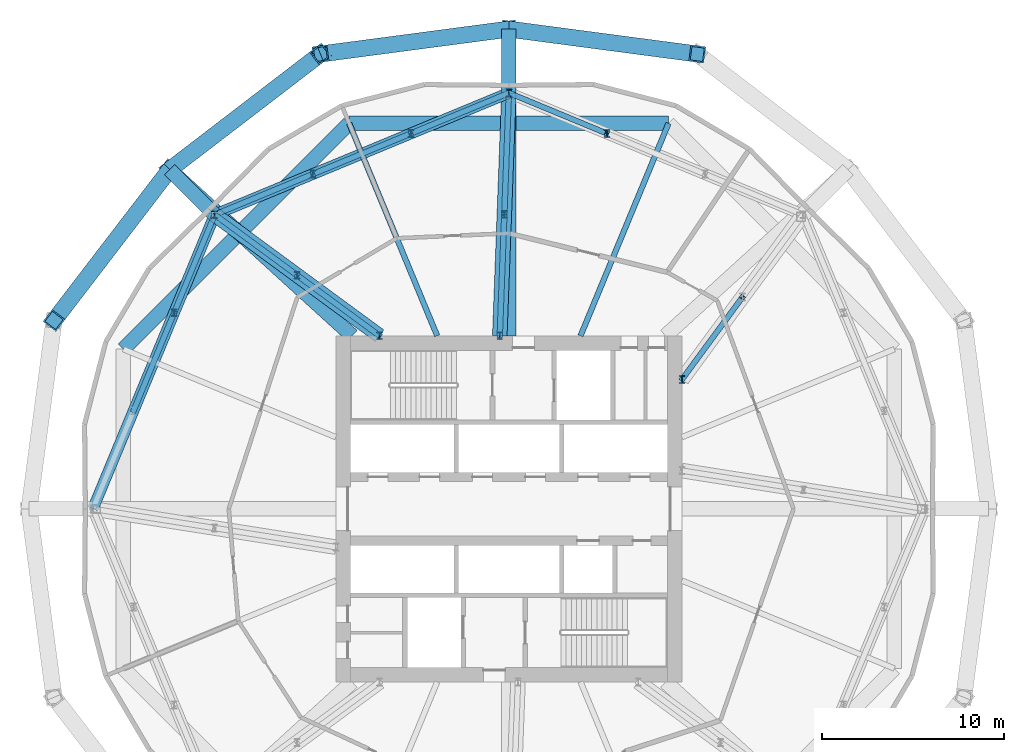
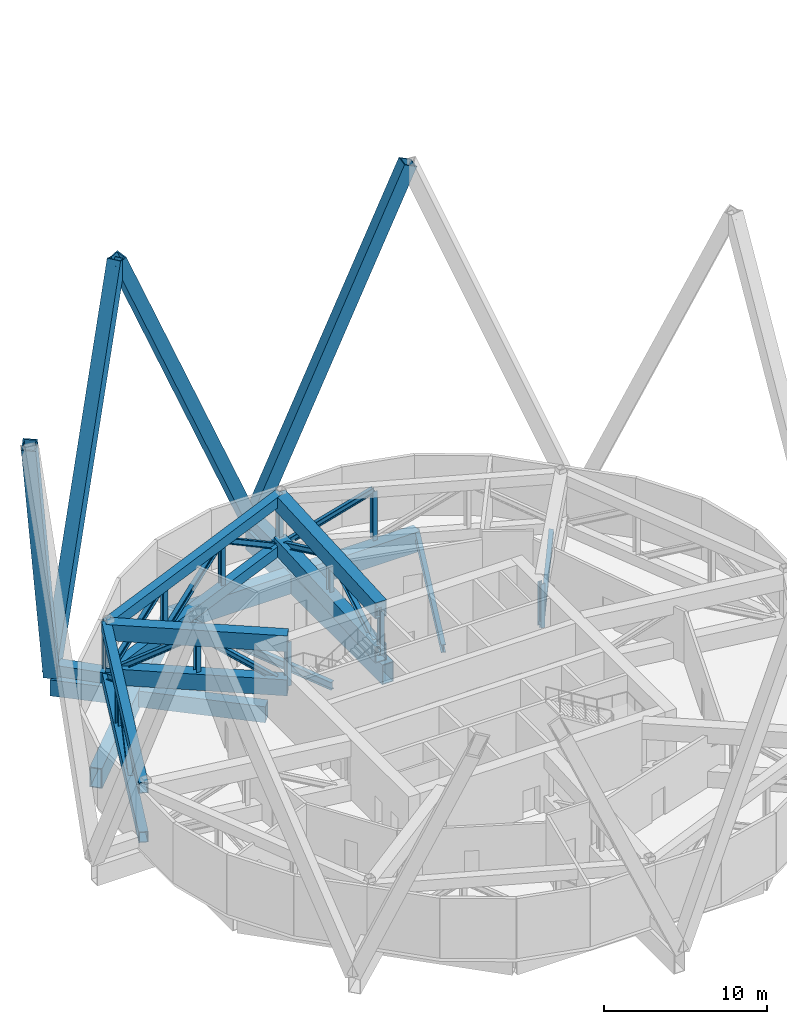
# One storey, part 6 of 21: 34 members, 8 beams.
"""IFC4 building model written with IfcOpenShell, lengths in metres."""

from ifc_helpers import new_model, si_unit, direction, frame, origin, origin_2d, place, context, subcontext, project, spatial, hollow_rectangle, i_section, extrude, material, material_profile, profile_set, type_object, element, save


model = new_model("IFC4")

# Units and contexts
model_context = context("Model", 3, precision=1e-05, world=origin(), true_north=direction((0.0, 1.0)))
body_context = subcontext(model_context, "Body", "Model", "MODEL_VIEW")
ifc_project = project(units=[si_unit("LENGTHUNIT", "METRE"), si_unit("AREAUNIT", "SQUARE_METRE"), si_unit("VOLUMEUNIT", "CUBIC_METRE"), si_unit("PLANEANGLEUNIT", "RADIAN"), si_unit("MASSUNIT", "GRAM", prefix="KILO")], contexts=[model_context])

# Site, building, storey
site_placement = place(None, origin())
site = spatial("IfcSite", under=ifc_project, at=site_placement, CompositionType="ELEMENT")
building_placement = place(site_placement, origin())
building = spatial("IfcBuilding", under=site, at=building_placement, Name="Ogive Gate Towers", CompositionType="ELEMENT")
storey_placement = place(building_placement, frame((0.0, 0.0, 71.39990234375)))
storey = spatial("IfcBuildingStorey", under=building, at=storey_placement, Name="L16", CompositionType="ELEMENT", Elevation=71.39990234375)

# Members
ifc_material_1 = material(Name="Steel SM460", Category="steel")
ifc_material_profile_1 = material_profile(ifc_material_1, hollow_rectangle(XDim=0.89990234375, YDim=0.89990234375, WallThickness=0.080078125, at=origin_2d()), Name="BX 900x900x80")
ifc_profile_set_1 = profile_set([ifc_material_profile_1], Name="Steel SM460")
member_type_1 = type_object("IfcMemberType", Name="Diagrid diagonal BX 900x900x80", PredefinedType="BRACE", material=ifc_profile_set_1)
for number, where, z_axis, x_axis, name in (
    (1, (-36.0, 26.330078125, 0.0), (0.391020203016, -0.05169225596, 0.918929328897), (0.131058173692, 0.991374679477, 0.0), "T1/L16/SDG005"),
    (2, (-36.0, 26.330078125, 0.0), (-0.391020203016, -0.05169225596, 0.918929328897), (0.131058173692, -0.991374679477, 0.0), "T1/L16/SDG006"),
    (3, (-54.6181640625, 18.6181640625, 0.0), (0.313043448302, 0.239941197331, 0.918929823925), (-0.608337680052, 0.793678314576, 0.0), "T1/L16/SDG007"),
    (4, (-54.6181640625, 18.6181640625, 0.0), (-0.239941197331, -0.313043448302, 0.918929823925), (0.793678314576, -0.608337680052, 0.0), "T1/L16/SDG008"),
):
    element("IfcMember", number, at=place(storey_placement, frame(where, z_axis=z_axis, x_axis=x_axis)), inside=storey, type_object=member_type_1, Name=name, PredefinedType="BRACE", context=body_context, shape_type="SweptSolid", body=[
        extrude(hollow_rectangle(XDim=0.89990234375, YDim=0.89990234375, WallThickness=0.080078125, at=origin_2d()), origin(), (0.0, 0.0, 1.0), 26.44384765625),
    ])

# Beams
ifc_material_profile_2 = material_profile(ifc_material_1, hollow_rectangle(XDim=0.800048828125, YDim=1.5, WallThickness=0.06005859375, at=origin_2d()), Name="BX 1500x800x60")
ifc_profile_set_2 = profile_set([ifc_material_profile_2], Name="Steel SM460")
beam_type_1 = type_object("IfcBeamType", Name="Edge girder BX 1500x800x60", PredefinedType="BEAM", material=ifc_profile_set_2)
for number, where, z_axis, x_axis, name in (
    (5, (-27.236572265625, 21.15673828125, -1.0498046875), (-1.0, 0.0, 0.0), (0.0, -1.0, 0.0), "T1/L16/SBM022"),
    (6, (-44.763427734375, 21.15673828125, -1.0498046875), (-0.707106781187, -0.707106781187, 0.0), (0.707106781187, -0.707106781187, 0.0), "T1/L16/SBM023"),
):
    element("IfcBeam", number, at=place(storey_placement, frame(where, z_axis=z_axis, x_axis=x_axis)), inside=storey, type_object=beam_type_1, Name=name, PredefinedType="BEAM", context=body_context, shape_type="SweptSolid", body=[
        extrude(hollow_rectangle(XDim=0.800048828125, YDim=1.5, WallThickness=0.06005859375, at=origin_2d()), origin(), (0.0, 0.0, 1.0), 17.52685546875),
    ])
ifc_material_profile_3 = material_profile(ifc_material_1, hollow_rectangle(XDim=0.800048828125, YDim=0.800048828125, WallThickness=0.050048828125, at=origin_2d()), Name="BX 800x800x50")
ifc_profile_set_3 = profile_set([ifc_material_profile_3], Name="Steel SM460")
beam_type_2 = type_object("IfcBeamType", Name="Node arm BX 800x800x50", PredefinedType="BEAM", material=ifc_profile_set_3)
for number, where, z_axis, x_axis, name in (
    (7, (-36.0, 22.830078125, 0.4501953125), (0.0, 1.0, 0.0), (-1.0, 0.0, 0.0), "T1/L16/SBM027"),
    (8, (-52.143310546875, 16.143310546875, 0.4501953125), (-0.707106781187, 0.707106781187, 0.0), (-0.707106781187, -0.707106781187, 0.0), "T1/L16/SBM028"),
):
    element("IfcBeam", number, at=place(storey_placement, frame(where, z_axis=z_axis, x_axis=x_axis)), inside=storey, type_object=beam_type_2, Name=name, PredefinedType="BEAM", context=body_context, shape_type="SweptSolid", body=[
        extrude(hollow_rectangle(XDim=0.800048828125, YDim=0.800048828125, WallThickness=0.050048828125, at=origin_2d()), origin(), (0.0, 0.0, 1.0), 3.5),
    ])
ifc_material_2 = material(Name="Steel SM355", Category="steel")
ifc_material_profile_4 = material_profile(ifc_material_2, i_section(OverallWidth=0.300048828125, OverallDepth=0.590087890625, WebThickness=0.012939453125, FlangeThickness=0.02490234375, FilletRadius=0.027099609375, at=origin_2d()), Name="HE 600 A")
ifc_profile_set_4 = profile_set([ifc_material_profile_4], Name="Steel SM355")
beam_type_3 = type_object("IfcBeamType", Name="Radial floor beam HE 600 A", PredefinedType="BEAM", material=ifc_profile_set_4)
for number, where, z_axis, x_axis, name in (
    (9, (-32.06494140625, 9.5, -0.594970703125), (0.382682759347, 0.923879811284, 0.0), (-0.923879811284, 0.382682759347, 0.0), "T1/L16/SBM011"),
    (10, (-39.93505859375, 9.5, -0.594970703125), (-0.382682759347, 0.923879811284, 0.0), (-0.923879811284, -0.382682759347, 0.0), "T1/L16/SBM013"),
):
    element("IfcBeam", number, at=place(storey_placement, frame(where, z_axis=z_axis, x_axis=x_axis)), inside=storey, type_object=beam_type_3, Name=name, PredefinedType="BEAM", context=body_context, shape_type="SweptSolid", body=[
        extrude(i_section(OverallWidth=0.300048828125, OverallDepth=0.590087890625, WebThickness=0.012939453125, FlangeThickness=0.02490234375, FilletRadius=0.027099609375, at=origin_2d()), origin(), (0.0, 0.0, 1.0), 12.6171875),
    ])
ifc_material_profile_5 = material_profile(ifc_material_1, hollow_rectangle(XDim=0.800048828125, YDim=1.199951171875, WallThickness=0.050048828125, at=origin_2d()), Name="BX 1200x800x50")
ifc_profile_set_5 = profile_set([ifc_material_profile_5], Name="Steel SM460")
beam_type_4 = type_object("IfcBeamType", Name="Transfer radial beam BX 1200x800x50", PredefinedType="BEAM", material=ifc_profile_set_5)
beam_1_placement = place(storey_placement, frame((-44.60009765625, 9.5, -0.89990234375), z_axis=(-0.739541977393, 0.673110439433, 0.0), x_axis=(-0.673110439433, -0.739541977393, 0.0)))
element("IfcBeam", 11, at=beam_1_placement, inside=storey, type_object=beam_type_4, Name="T1/L16/SBM014", PredefinedType="BEAM", context=body_context, shape_type="SweptSolid", body=[
    extrude(hollow_rectangle(XDim=0.800048828125, YDim=1.199951171875, WallThickness=0.050048828125, at=origin_2d()), origin(), (0.0, 0.0, 1.0), 13.54638671875),
])
ifc_material_profile_6 = material_profile(ifc_material_1, hollow_rectangle(XDim=0.800048828125, YDim=1.5, WallThickness=0.06005859375, at=origin_2d()), Name="BX 1500x800x60")
ifc_profile_set_6 = profile_set([ifc_material_profile_6], Name="Steel SM460")
beam_type_5 = type_object("IfcBeamType", Name="Transfer radial beam BX 1500x800x60", PredefinedType="BEAM", material=ifc_profile_set_6)
beam_2_placement = place(storey_placement, frame((-36.0, 9.5, -1.0498046875), z_axis=(0.0, 1.0, 0.0), x_axis=(-1.0, 0.0, 0.0)))
element("IfcBeam", 12, at=beam_2_placement, inside=storey, type_object=beam_type_5, Name="T1/L16/SBM012", PredefinedType="BEAM", context=body_context, shape_type="SweptSolid", body=[
    extrude(hollow_rectangle(XDim=0.800048828125, YDim=1.5, WallThickness=0.06005859375, at=origin_2d()), origin(), (0.0, 0.0, 1.0), 16.830078125),
])

# Members
ifc_material_profile_7 = material_profile(ifc_material_1, hollow_rectangle(XDim=0.800048828125, YDim=1.199951171875, WallThickness=0.050048828125, at=origin_2d()), Name="BX 1200x800x50")
ifc_profile_set_7 = profile_set([ifc_material_profile_7], Name="Steel SM460")
member_type_2 = type_object("IfcMemberType", Name="Truss chord BX 1200x800x50", PredefinedType="CHORD", material=ifc_profile_set_7)
for number, where, z_axis, x_axis, name in (
    (13, (-36.5, 9.5, 0.60009765625), (0.037482798811, 0.999297272984, 0.0), (-0.999297272984, 0.037482798811, 0.0), "T1/L16/STR038"),
    (14, (-36.5, 9.5, 3.900146484375), (0.037482798811, 0.999297272984, 0.0), (-0.999297272984, 0.037482798811, 0.0), "T1/L16/STR039"),
):
    element("IfcMember", number, at=place(storey_placement, frame(where, z_axis=z_axis, x_axis=x_axis)), inside=storey, type_object=member_type_2, Name=name, PredefinedType="CHORD", context=body_context, shape_type="SweptSolid", body=[
        extrude(hollow_rectangle(XDim=0.800048828125, YDim=1.199951171875, WallThickness=0.050048828125, at=origin_2d()), origin(), (0.0, 0.0, 1.0), 13.33935546875),
    ])
for number, where, z_axis, x_axis, name in (
    (15, (-43.10009765625, 9.5, 0.60009765625), (-0.805910837302, 0.592036926482, 0.0), (-0.592036926482, -0.805910837302, 0.0), "T1/L16/STR052"),
    (16, (-43.10009765625, 9.5, 3.900146484375), (-0.805910837302, 0.592036926482, 0.0), (-0.592036926482, -0.805910837302, 0.0), "T1/L16/STR053"),
):
    element("IfcMember", number, at=place(storey_placement, frame(where, z_axis=z_axis, x_axis=x_axis)), inside=storey, type_object=member_type_2, Name=name, PredefinedType="CHORD", context=body_context, shape_type="SweptSolid", body=[
        extrude(hollow_rectangle(XDim=0.800048828125, YDim=1.199951171875, WallThickness=0.050048828125, at=origin_2d()), origin(), (0.0, 0.0, 1.0), 11.22119140625),
    ])
ifc_material_profile_8 = material_profile(ifc_material_1, hollow_rectangle(XDim=0.60009765625, YDim=0.800048828125, WallThickness=0.0400390625, at=origin_2d()), Name="BX 800x600x40")
ifc_profile_set_8 = profile_set([ifc_material_profile_8], Name="Steel SM460")
member_type_3 = type_object("IfcMemberType", Name="Truss chord BX 800x600x40", PredefinedType="CHORD", material=ifc_profile_set_8)
for number, where, z_axis, x_axis, name in (
    (17, (-36.0, 22.830078125, 0.400146484375), (-0.923879746828, -0.382682914959, 0.0), (0.382682914959, -0.923879746828, 0.0), "T1/L16/STR030"),
    (18, (-36.0, 22.830078125, 4.10009765625), (-0.923879746828, -0.382682914959, 0.0), (0.382682914959, -0.923879746828, 0.0), "T1/L16/STR031"),
    (19, (-52.143310546875, 16.143310546875, 0.400146484375), (-0.382682914959, -0.923879746828, 0.0), (0.923879746828, -0.382682914959, 0.0), "T1/L16/STR044"),
    (20, (-52.143310546875, 16.143310546875, 4.10009765625), (-0.382682914959, -0.923879746828, 0.0), (0.923879746828, -0.382682914959, 0.0), "T1/L16/STR045"),
):
    element("IfcMember", number, at=place(storey_placement, frame(where, z_axis=z_axis, x_axis=x_axis)), inside=storey, type_object=member_type_3, Name=name, PredefinedType="CHORD", context=body_context, shape_type="SweptSolid", body=[
        extrude(hollow_rectangle(XDim=0.60009765625, YDim=0.800048828125, WallThickness=0.0400390625, at=origin_2d()), origin(), (0.0, 0.0, 1.0), 17.473388671875),
    ])
ifc_material_profile_9 = material_profile(ifc_material_1, i_section(OverallWidth=0.300048828125, OverallDepth=0.39990234375, WebThickness=0.013427734375, FlangeThickness=0.02392578125, FilletRadius=0.027099609375, at=origin_2d()), Name="HE 400 B")
ifc_profile_set_9 = profile_set([ifc_material_profile_9], Name="Steel SM460")
member_type_4 = type_object("IfcMemberType", Name="Truss diagonal HE 400 B", PredefinedType="BRACE", material=ifc_profile_set_9)
member_1_placement = place(storey_placement, frame((-30.618896484375, 20.60107421875, 4.10009765625), z_axis=(-0.779834268576, 0.323029212472, -0.536200187844), x_axis=(-0.382694840836, -0.923874806885, 0.0)))
element("IfcMember", 21, at=member_1_placement, inside=storey, type_object=member_type_4, Name="T1/L16/STR020", PredefinedType="BRACE", context=body_context, shape_type="SweptSolid", body=[
    extrude(i_section(OverallWidth=0.300048828125, OverallDepth=0.39990234375, WebThickness=0.013427734375, FlangeThickness=0.02392578125, FilletRadius=0.027099609375, at=origin_2d()), origin(), (0.0, 0.0, 1.0), 6.900390625),
])
member_2_placement = place(storey_placement, frame((-26.5, 7.10009765625, 0.60009765625), z_axis=(0.510300678663, 0.694654066067, 0.5069999466), x_axis=(-0.805913592309, 0.592033176208, 0.0)))
element("IfcMember", 22, at=member_2_placement, inside=storey, type_object=member_type_4, Name="T1/L16/STR026", PredefinedType="BRACE", context=body_context, shape_type="SweptSolid", body=[
    extrude(i_section(OverallWidth=0.300048828125, OverallDepth=0.39990234375, WebThickness=0.013427734375, FlangeThickness=0.02392578125, FilletRadius=0.027099609375, at=origin_2d()), origin(), (0.0, 0.0, 1.0), 6.509033203125),
])
for number, where, z_axis, x_axis, name in (
    (23, (-36.0, 22.830078125, 0.400146484375), (-0.779834268576, -0.323029212472, 0.536200187844), (0.382694840836, -0.923874806885, 0.0), "T1/L16/STR032"),
    (24, (-41.381103515625, 20.60107421875, 4.10009765625), (-0.779834268576, -0.323029212472, -0.536200187844), (0.382694840836, -0.923874806885, 0.0), "T1/L16/STR033"),
):
    element("IfcMember", number, at=place(storey_placement, frame(where, z_axis=z_axis, x_axis=x_axis)), inside=storey, type_object=member_type_4, Name=name, PredefinedType="BRACE", context=body_context, shape_type="SweptSolid", body=[
        extrude(i_section(OverallWidth=0.300048828125, OverallDepth=0.39990234375, WebThickness=0.013427734375, FlangeThickness=0.02392578125, FilletRadius=0.027099609375, at=origin_2d()), origin(), (0.0, 0.0, 1.0), 6.900390625),
    ])
member_3_placement = place(storey_placement, frame((-46.76220703125, 18.3720703125, 4.10009765625), z_axis=(-0.779843181061, -0.322997522794, -0.53620631591), x_axis=(0.382659062633, -0.923889626408, 0.0)))
element("IfcMember", 25, at=member_3_placement, inside=storey, type_object=member_type_4, Name="T1/L16/STR034", PredefinedType="BRACE", context=body_context, shape_type="SweptSolid", body=[
    extrude(i_section(OverallWidth=0.300048828125, OverallDepth=0.39990234375, WebThickness=0.013427734375, FlangeThickness=0.02392578125, FilletRadius=0.027099609375, at=origin_2d()), origin(), (0.0, 0.0, 1.0), 6.900146484375),
])
for number, where, z_axis, x_axis, name in (
    (26, (-36.5, 9.5, 0.60009765625), (0.033595484743, 0.895660872538, 0.443466960223), (-0.999297272984, 0.037482798811, 0.0), "T1/L16/STR040"),
    (27, (-36.25, 16.1650390625, 3.900146484375), (0.033595484743, 0.895660872538, -0.443466960223), (-0.999297272984, 0.037482798811, 0.0), "T1/L16/STR041"),
):
    element("IfcMember", number, at=place(storey_placement, frame(where, z_axis=z_axis, x_axis=x_axis)), inside=storey, type_object=member_type_4, Name=name, PredefinedType="BRACE", context=body_context, shape_type="SweptSolid", body=[
        extrude(i_section(OverallWidth=0.300048828125, OverallDepth=0.39990234375, WebThickness=0.013427734375, FlangeThickness=0.02392578125, FilletRadius=0.027099609375, at=origin_2d()), origin(), (0.0, 0.0, 1.0), 7.44140625),
    ])
member_4_placement = place(storey_placement, frame((-52.143310546875, 16.143310546875, 0.400146484375), z_axis=(-0.322997522794, -0.779843181061, 0.53620631591), x_axis=(0.923889626408, -0.382659062633, 0.0)))
element("IfcMember", 28, at=member_4_placement, inside=storey, type_object=member_type_4, Name="T1/L16/STR046", PredefinedType="BRACE", context=body_context, shape_type="SweptSolid", body=[
    extrude(i_section(OverallWidth=0.300048828125, OverallDepth=0.39990234375, WebThickness=0.013427734375, FlangeThickness=0.02392578125, FilletRadius=0.027099609375, at=origin_2d()), origin(), (0.0, 0.0, 1.0), 6.900146484375),
])
member_5_placement = place(storey_placement, frame((-54.3720703125, 10.76220703125, 4.10009765625), z_axis=(-0.323029212472, -0.779834268576, -0.536200187844), x_axis=(0.923874806885, -0.382694840836, 0.0)))
element("IfcMember", 29, at=member_5_placement, inside=storey, type_object=member_type_4, Name="T1/L16/STR047", PredefinedType="BRACE", context=body_context, shape_type="SweptSolid", body=[
    extrude(i_section(OverallWidth=0.300048828125, OverallDepth=0.39990234375, WebThickness=0.013427734375, FlangeThickness=0.02392578125, FilletRadius=0.027099609375, at=origin_2d()), origin(), (0.0, 0.0, 1.0), 6.900390625),
])
member_6_placement = place(storey_placement, frame((-43.10009765625, 9.5, 0.60009765625), z_axis=(-0.694654066067, 0.510300678663, 0.5069999466), x_axis=(-0.592033176208, -0.805913592309, 0.0)))
element("IfcMember", 30, at=member_6_placement, inside=storey, type_object=member_type_4, Name="T1/L16/STR054", PredefinedType="BRACE", context=body_context, shape_type="SweptSolid", body=[
    extrude(i_section(OverallWidth=0.300048828125, OverallDepth=0.39990234375, WebThickness=0.013427734375, FlangeThickness=0.02392578125, FilletRadius=0.027099609375, at=origin_2d()), origin(), (0.0, 0.0, 1.0), 6.509033203125),
])
member_7_placement = place(storey_placement, frame((-47.62158203125, 12.821533203125, 3.900146484375), z_axis=(-0.694660178377, 0.510315122671, -0.506977033158), x_axis=(-0.592040676516, -0.805908082445, 0.0)))
element("IfcMember", 31, at=member_7_placement, inside=storey, type_object=member_type_4, Name="T1/L16/STR055", PredefinedType="BRACE", context=body_context, shape_type="SweptSolid", body=[
    extrude(i_section(OverallWidth=0.300048828125, OverallDepth=0.39990234375, WebThickness=0.013427734375, FlangeThickness=0.02392578125, FilletRadius=0.027099609375, at=origin_2d()), origin(), (0.0, 0.0, 1.0), 6.50927734375),
])
ifc_material_profile_10 = material_profile(ifc_material_1, i_section(OverallWidth=0.300048828125, OverallDepth=0.39990234375, WebThickness=0.013427734375, FlangeThickness=0.02392578125, FilletRadius=0.027099609375, at=origin_2d()), Name="HE 400 B")
ifc_profile_set_10 = profile_set([ifc_material_profile_10], Name="Steel SM460")
member_type_5 = type_object("IfcMemberType", Name="Truss post HE 400 B", PredefinedType="POST", material=ifc_profile_set_10)
for number, where, z_axis, x_axis, name in (
    (32, (-30.618896484375, 20.60107421875, 0.400146484375), (0.0, 0.0, 1.0), (1.0, 0.0, 0.0), "T1/L16/STR022"),
    (33, (-36.0, 22.830078125, 0.400146484375), (0.0, 0.0, 1.0), (1.0, 0.0, 0.0), "T1/L16/STR023"),
):
    element("IfcMember", number, at=place(storey_placement, frame(where, z_axis=z_axis, x_axis=x_axis)), inside=storey, type_object=member_type_5, Name=name, PredefinedType="POST", context=body_context, shape_type="SweptSolid", body=[
        extrude(i_section(OverallWidth=0.300048828125, OverallDepth=0.39990234375, WebThickness=0.013427734375, FlangeThickness=0.02392578125, FilletRadius=0.027099609375, at=origin_2d()), origin(), (0.0, 0.0, 1.0), 3.699951171875),
    ])
member_8_placement = place(storey_placement, frame((-26.5, 7.10009765625, 0.60009765625), z_axis=(0.0, 0.0, 1.0), x_axis=(1.0, 0.0, 0.0)))
element("IfcMember", 34, at=member_8_placement, inside=storey, type_object=member_type_5, Name="T1/L16/STR028", PredefinedType="POST", context=body_context, shape_type="SweptSolid", body=[
    extrude(i_section(OverallWidth=0.300048828125, OverallDepth=0.39990234375, WebThickness=0.013427734375, FlangeThickness=0.02392578125, FilletRadius=0.027099609375, at=origin_2d()), origin(), (0.0, 0.0, 1.0), 3.300048828125),
])
for number, where, z_axis, x_axis, name in (
    (35, (-41.381103515625, 20.60107421875, 0.400146484375), (0.0, 0.0, 1.0), (1.0, 0.0, 0.0), "T1/L16/STR035"),
    (36, (-46.76220703125, 18.3720703125, 0.400146484375), (0.0, 0.0, 1.0), (1.0, 0.0, 0.0), "T1/L16/STR036"),
    (37, (-52.143310546875, 16.143310546875, 0.400146484375), (0.0, 0.0, 1.0), (1.0, 0.0, 0.0), "T1/L16/STR037"),
):
    element("IfcMember", number, at=place(storey_placement, frame(where, z_axis=z_axis, x_axis=x_axis)), inside=storey, type_object=member_type_5, Name=name, PredefinedType="POST", context=body_context, shape_type="SweptSolid", body=[
        extrude(i_section(OverallWidth=0.300048828125, OverallDepth=0.39990234375, WebThickness=0.013427734375, FlangeThickness=0.02392578125, FilletRadius=0.027099609375, at=origin_2d()), origin(), (0.0, 0.0, 1.0), 3.699951171875),
    ])
for number, where, z_axis, x_axis, name in (
    (38, (-36.5, 9.5, 0.60009765625), (0.0, 0.0, 1.0), (1.0, 0.0, 0.0), "T1/L16/STR042"),
    (39, (-36.25, 16.1650390625, 0.60009765625), (0.0, 0.0, 1.0), (1.0, 0.0, 0.0), "T1/L16/STR043"),
):
    element("IfcMember", number, at=place(storey_placement, frame(where, z_axis=z_axis, x_axis=x_axis)), inside=storey, type_object=member_type_5, Name=name, PredefinedType="POST", context=body_context, shape_type="SweptSolid", body=[
        extrude(i_section(OverallWidth=0.300048828125, OverallDepth=0.39990234375, WebThickness=0.013427734375, FlangeThickness=0.02392578125, FilletRadius=0.027099609375, at=origin_2d()), origin(), (0.0, 0.0, 1.0), 3.300048828125),
    ])
member_9_placement = place(storey_placement, frame((-54.3720703125, 10.76220703125, 0.400146484375), z_axis=(0.0, 0.0, 1.0), x_axis=(1.0, 0.0, 0.0)))
element("IfcMember", 40, at=member_9_placement, inside=storey, type_object=member_type_5, Name="T1/L16/STR049", PredefinedType="POST", context=body_context, shape_type="SweptSolid", body=[
    extrude(i_section(OverallWidth=0.300048828125, OverallDepth=0.39990234375, WebThickness=0.013427734375, FlangeThickness=0.02392578125, FilletRadius=0.027099609375, at=origin_2d()), origin(), (0.0, 0.0, 1.0), 3.699951171875),
])
for number, where, z_axis, x_axis, name in (
    (41, (-43.10009765625, 9.5, 0.60009765625), (0.0, 0.0, 1.0), (1.0, 0.0, 0.0), "T1/L16/STR056"),
    (42, (-47.62158203125, 12.821533203125, 0.60009765625), (0.0, 0.0, 1.0), (1.0, 0.0, 0.0), "T1/L16/STR057"),
):
    element("IfcMember", number, at=place(storey_placement, frame(where, z_axis=z_axis, x_axis=x_axis)), inside=storey, type_object=member_type_5, Name=name, PredefinedType="POST", context=body_context, shape_type="SweptSolid", body=[
        extrude(i_section(OverallWidth=0.300048828125, OverallDepth=0.39990234375, WebThickness=0.013427734375, FlangeThickness=0.02392578125, FilletRadius=0.027099609375, at=origin_2d()), origin(), (0.0, 0.0, 1.0), 3.300048828125),
    ])

save(model, "model.ifc")
